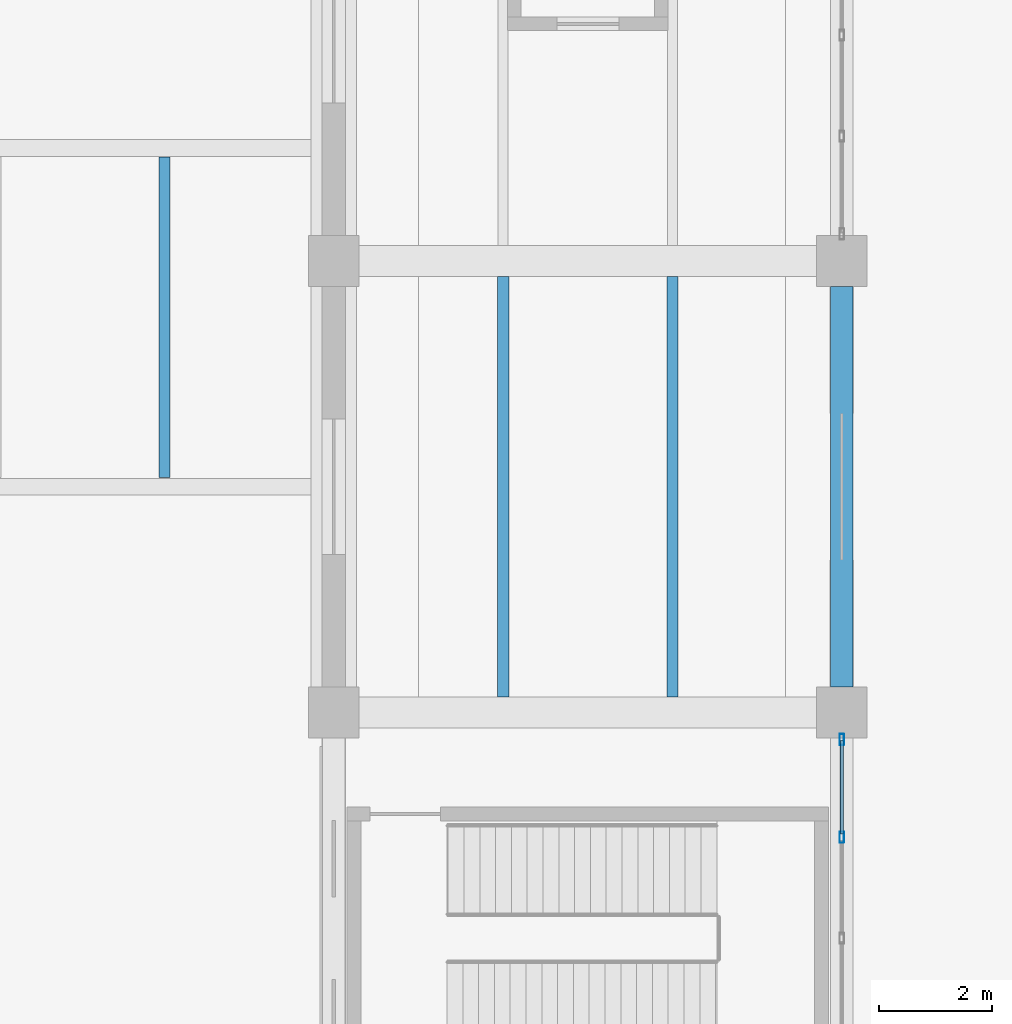
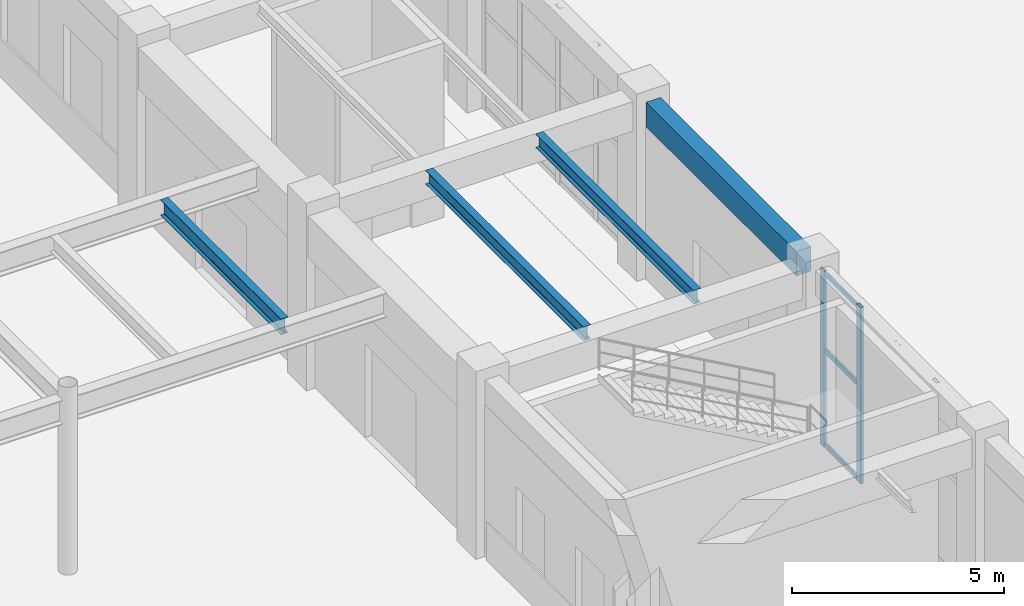
# One storey, part 29 of 121: 5 members, 4 beams, 1 element without a shape of its own.
"""IFC4 building model written with IfcOpenShell, lengths in metres."""

from ifc_helpers import new_model, si_unit, derived_unit, direction, frame, origin, origin_2d, place, context, subcontext, project, spatial, rectangle, hollow_rectangle, i_section, extrude, material, material_profile, profile_set, type_object, element, aggregate, save


model = new_model("IFC4")

# Units and contexts
model_context = context("Model", 3, precision=1e-05, world=origin(), true_north=direction((0.0, 1.0)))
body_context = subcontext(model_context, "Body", "Model", "MODEL_VIEW")
ifc_project = project(units=[si_unit("LENGTHUNIT", "METRE"), si_unit("AREAUNIT", "SQUARE_METRE"), si_unit("VOLUMEUNIT", "CUBIC_METRE"), si_unit("PLANEANGLEUNIT", "RADIAN"), si_unit("MASSUNIT", "GRAM", prefix="KILO"), derived_unit("THERMALTRANSMITTANCEUNIT", [(si_unit("MASSUNIT", "GRAM", prefix="KILO"), 1), (si_unit("TIMEUNIT", "SECOND"), -3), (si_unit("THERMODYNAMICTEMPERATUREUNIT", "KELVIN"), -1)])], contexts=[model_context])

# Site, building, storey
site_placement = place(None, origin())
site = spatial("IfcSite", under=ifc_project, at=site_placement, CompositionType="ELEMENT")
building_placement = place(site_placement, origin())
building = spatial("IfcBuilding", under=site, at=building_placement, Name="Zhenchuan Archway Interchange", CompositionType="ELEMENT")
storey_placement = place(building_placement, origin())
storey = spatial("IfcBuildingStorey", under=building, at=storey_placement, Name="L00", CompositionType="ELEMENT", Elevation=0.0)

# Beam
ifc_material_1 = material(Name="Steel Q355", Category="steel")
ifc_material_profile_1 = material_profile(ifc_material_1, i_section(OverallWidth=0.199951171875, OverallDepth=0.449951171875, WebThickness=0.009033203125, FlangeThickness=0.013916015625, FilletRadius=0.01806640625, at=origin_2d()), Name="HN 450x200")
ifc_profile_set_1 = profile_set([ifc_material_profile_1], Name="Steel Q355")
beam_type_1 = type_object("IfcBeamType", Name="BM_STL_HN450", PredefinedType="BEAM", material=ifc_profile_set_1)
beam_1_placement = place(storey_placement, frame((96.0, 52.159912109375, 4.824951171875), z_axis=(0.0, 1.0, 0.0), x_axis=(-1.0, 0.0, 0.0)))
element("IfcBeam", 1, at=beam_1_placement, inside=storey, type_object=beam_type_1, Name="Footbridge transverse deck beam E-2", PredefinedType="BEAM", context=body_context, shape_type="SweptSolid", body=[
    extrude(i_section(OverallWidth=0.199951171875, OverallDepth=0.449951171875, WebThickness=0.009033203125, FlangeThickness=0.013916015625, FilletRadius=0.01806640625, at=origin_2d()), origin(), (0.0, 0.0, 1.0), 5.68017578125),
])

# Curtain wall, members
ifc_material_2 = material(Name="Anodised Aluminium", Category="aluminium")
curtain_wall_type = type_object("IfcCurtainWallType", Name="CW_UNIT_3", PredefinedType="NOTDEFINED", material=ifc_material_2)
curtain_wall_placement = place(storey_placement, origin())
curtain_wall = element("IfcCurtainWall", 2, at=curtain_wall_placement, inside=storey, type_object=curtain_wall_type, Name="Unitised curtain wall CW:L00:026", PredefinedType="NOTDEFINED")
ifc_material_profile_2 = material_profile(ifc_material_2, hollow_rectangle(XDim=0.080078125, YDim=0.199951171875, WallThickness=0.00439453125, InnerFilletRadius=0.00439453125, OuterFilletRadius=0.009033203125, at=origin_2d()), Name="ALU 200x80x4.5")
ifc_profile_set_2 = profile_set([ifc_material_profile_2], Name="Anodised Aluminium")
member_type_1 = type_object("IfcMemberType", Name="CW_MUL_200", PredefinedType="MULLION", material=ifc_profile_set_2)
member_1_placement = place(storey_placement, frame((108.0, 47.52197265625, 0.0), z_axis=(0.0, 0.0, 1.0), x_axis=(1.0, 0.0, 0.0)))
member_1 = element("IfcMember", 3, at=member_1_placement, type_object=member_type_1, Name="CW:L00:026 mullion 0", PredefinedType="MULLION", context=body_context, shape_type="SweptSolid", body=[
    extrude(hollow_rectangle(XDim=0.080078125, YDim=0.199951171875, WallThickness=0.00439453125, InnerFilletRadius=0.00439453125, OuterFilletRadius=0.009033203125, at=origin_2d()), origin(), (0.0, 0.0, 1.0), 5.080078125),
])
member_2_placement = place(storey_placement, frame((108.0, 45.791015625, 0.0), z_axis=(0.0, 0.0, 1.0), x_axis=(1.0, 0.0, 0.0)))
member_2 = element("IfcMember", 4, at=member_2_placement, type_object=member_type_1, Name="CW:L00:026 mullion 1", PredefinedType="MULLION", context=body_context, shape_type="SweptSolid", body=[
    extrude(hollow_rectangle(XDim=0.080078125, YDim=0.199951171875, WallThickness=0.00439453125, InnerFilletRadius=0.00439453125, OuterFilletRadius=0.009033203125, at=origin_2d()), origin(), (0.0, 0.0, 1.0), 5.080078125),
])
ifc_material_profile_3 = material_profile(ifc_material_2, hollow_rectangle(XDim=0.06005859375, YDim=0.139892578125, WallThickness=0.00341796875, InnerFilletRadius=0.00341796875, OuterFilletRadius=0.007080078125, at=origin_2d()), Name="ALU 140x60x3.5")
ifc_profile_set_3 = profile_set([ifc_material_profile_3], Name="Anodised Aluminium")
member_type_2 = type_object("IfcMemberType", Name="CW_TRN_140", PredefinedType="USERDEFINED", material=ifc_profile_set_3)
member_3_placement = place(storey_placement, frame((108.0, 47.501953125, 0.06005859375), z_axis=(0.0, -1.0, 0.0), x_axis=(1.0, 0.0, 0.0)))
member_3 = element("IfcMember", 5, at=member_3_placement, type_object=member_type_2, Name="CW:L00:026 transom 0-1", ObjectType="TRANSOM", PredefinedType="USERDEFINED", context=body_context, shape_type="SweptSolid", body=[
    extrude(hollow_rectangle(XDim=0.06005859375, YDim=0.139892578125, WallThickness=0.00341796875, InnerFilletRadius=0.00341796875, OuterFilletRadius=0.007080078125, at=origin_2d()), origin(), (0.0, 0.0, 1.0), 1.65087890625),
])
member_4_placement = place(storey_placement, frame((108.0, 47.501953125, 2.782958984375), z_axis=(0.0, -1.0, 0.0), x_axis=(1.0, 0.0, 0.0)))
member_4 = element("IfcMember", 6, at=member_4_placement, type_object=member_type_2, Name="CW:L00:026 transom 0-2", ObjectType="TRANSOM", PredefinedType="USERDEFINED", context=body_context, shape_type="SweptSolid", body=[
    extrude(hollow_rectangle(XDim=0.06005859375, YDim=0.139892578125, WallThickness=0.00341796875, InnerFilletRadius=0.00341796875, OuterFilletRadius=0.007080078125, at=origin_2d()), origin(), (0.0, 0.0, 1.0), 1.65087890625),
])
member_5_placement = place(storey_placement, frame((108.0, 47.501953125, 5.0), z_axis=(0.0, -1.0, 0.0), x_axis=(1.0, 0.0, 0.0)))
member_5 = element("IfcMember", 7, at=member_5_placement, type_object=member_type_2, Name="CW:L00:026 transom 0-3", ObjectType="TRANSOM", PredefinedType="USERDEFINED", context=body_context, shape_type="SweptSolid", body=[
    extrude(hollow_rectangle(XDim=0.06005859375, YDim=0.139892578125, WallThickness=0.00341796875, InnerFilletRadius=0.00341796875, OuterFilletRadius=0.007080078125, at=origin_2d()), origin(), (0.0, 0.0, 1.0), 1.65087890625),
])
aggregate(curtain_wall, [member_1, member_2, member_3, member_4, member_5])

# Beams
ifc_material_profile_4 = material_profile(ifc_material_1, i_section(OverallWidth=0.199951171875, OverallDepth=0.39990234375, WebThickness=0.008056640625, FlangeThickness=0.012939453125, FilletRadius=0.01611328125, at=origin_2d()), Name="HN 400x200")
ifc_profile_set_4 = profile_set([ifc_material_profile_4], Name="Steel Q355")
beam_type_2 = type_object("IfcBeamType", Name="JST_STL_HN400", PredefinedType="JOIST", material=ifc_profile_set_4)
for number, where, z_axis, x_axis, name in (
    (8, (102.0, 48.27490234375, 4.8798828125), (0.0, 1.0, 0.0), (-1.0, 0.0, 0.0), "Secondary joist 12-13/G-H #1 (L00)"),
    (9, (105.0, 48.27490234375, 4.8798828125), (0.0, 1.0, 0.0), (-1.0, 0.0, 0.0), "Secondary joist 12-13/G-H #2 (L00)"),
):
    element("IfcBeam", number, at=place(storey_placement, frame(where, z_axis=z_axis, x_axis=x_axis)), inside=storey, type_object=beam_type_2, Name=name, PredefinedType="JOIST", context=body_context, shape_type="SweptSolid", body=[
        extrude(i_section(OverallWidth=0.199951171875, OverallDepth=0.39990234375, WebThickness=0.008056640625, FlangeThickness=0.012939453125, FilletRadius=0.01611328125, at=origin_2d()), origin(), (0.0, 0.0, 1.0), 7.4501953125),
    ])
ifc_material_3 = material(Name="Concrete C40", Category="concrete")
ifc_material_profile_5 = material_profile(ifc_material_3, rectangle(XDim=0.39990234375, YDim=0.699951171875, at=origin_2d()), Name="RC 400x700")
ifc_profile_set_5 = profile_set([ifc_material_profile_5], Name="Concrete C40")
beam_type_3 = type_object("IfcBeamType", Name="SP_RC_400x700", PredefinedType="SPANDREL", material=ifc_profile_set_5)
beam_2_placement = place(storey_placement, frame((108.0, 48.449951171875, 4.72998046875), z_axis=(0.0, 1.0, 0.0), x_axis=(-1.0, 0.0, 0.0)))
element("IfcBeam", 10, at=beam_2_placement, inside=storey, type_object=beam_type_3, Name="Beam 13:G-H (L00)", PredefinedType="SPANDREL", context=body_context, shape_type="SweptSolid", body=[
    extrude(rectangle(XDim=0.39990234375, YDim=0.699951171875, at=origin_2d()), origin(), (0.0, 0.0, 1.0), 7.10009765625),
])

save(model, "model.ifc")
